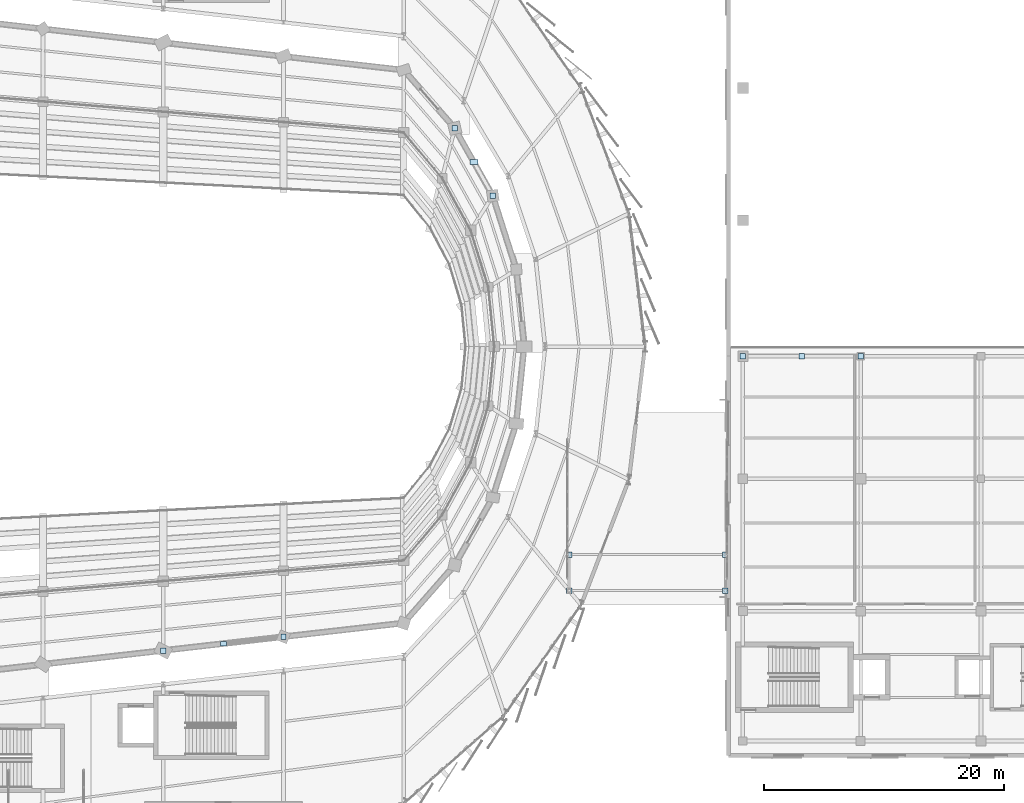
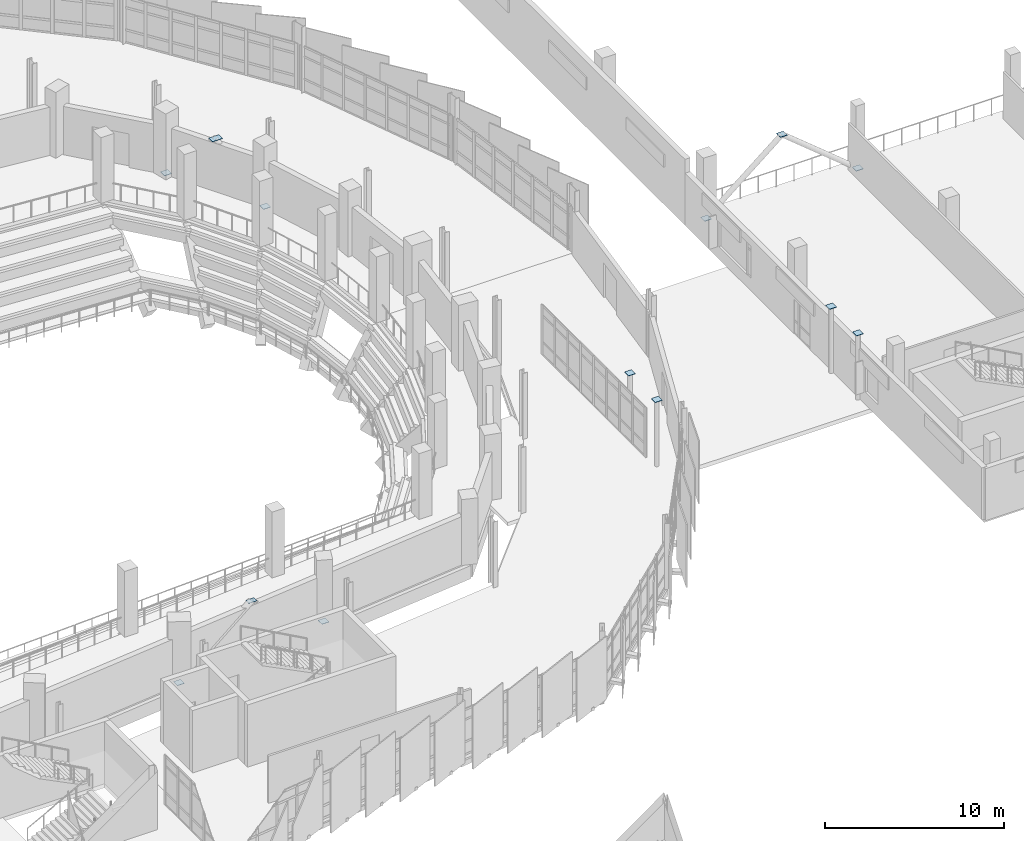
# One storey, part 105 of 134: 13 plates.
"""IFC4 building model written with IfcOpenShell, lengths in metres."""

from ifc_helpers import new_model, si_unit, direction, frame, origin, origin_2d, place, context, subcontext, project, spatial, rectangle, extrude, material, layer, layer_set, type_object, element, save


model = new_model("IFC4")

# Units and contexts
model_context = context("Model", 3, precision=1e-05, world=origin(), true_north=direction((0.0, 1.0)))
body_context = subcontext(model_context, "Body", "Model", "MODEL_VIEW")
ifc_project = project(units=[si_unit("LENGTHUNIT", "METRE"), si_unit("AREAUNIT", "SQUARE_METRE"), si_unit("VOLUMEUNIT", "CUBIC_METRE"), si_unit("PLANEANGLEUNIT", "RADIAN"), si_unit("MASSUNIT", "GRAM", prefix="KILO")], contexts=[model_context])

# Site, building, storey
site_placement = place(None, origin())
site = spatial("IfcSite", under=ifc_project, at=site_placement, CompositionType="ELEMENT")
building_placement = place(site_placement, origin())
building = spatial("IfcBuilding", under=site, at=building_placement, Name="Sohan Crest Arena", CompositionType="ELEMENT")
storey_placement = place(building_placement, frame((0.0, 0.0, 4.5)))
storey = spatial("IfcBuildingStorey", under=building, at=storey_placement, Name="L01", CompositionType="ELEMENT", Elevation=4.5)

# Plates
ifc_material = material(Name="Steel S355", Category="steel")
ifc_layer_1 = layer(ifc_material, 0.031982421875, Name="Steel S355")
ifc_layer_set_1 = layer_set([ifc_layer_1], Name="Steel S355")
plate_type_1 = type_object("IfcPlateType", Name="STR-PL-BP01", PredefinedType="USERDEFINED", material=ifc_layer_set_1)
for number, where, z_axis, x_axis, name in (
    (1, (181.75, 57.699951171875, 4.487548828125), (0.0, 0.0, 1.0), (1.0, 0.0, 0.0), "Hollow section end cap plate ECP-0059"),
    (2, (181.75, 60.699951171875, 4.487548828125), (0.0, 0.0, 1.0), (1.0, 0.0, 0.0), "Hollow section end cap plate ECP-0063"),
    (3, (194.75, 57.699951171875, 4.487548828125), (0.0, 0.0, 1.0), (1.0, 0.0, 0.0), "Hollow section end cap plate ECP-0067"),
    (4, (194.75, 60.699951171875, 4.487548828125), (0.0, 0.0, 1.0), (1.0, 0.0, 0.0), "Hollow section end cap plate ECP-0071"),
    (5, (148.0, 52.714111328125, -0.012451171875), (0.0, 0.0, 1.0), (1.0, 0.0, 0.0), "Hollow section end cap plate ECP-0517"),
    (6, (158.0, 53.85693359375, -0.012451171875), (0.0, 0.0, 1.0), (1.0, 0.0, 0.0), "Hollow section end cap plate ECP-0518"),
    (7, (175.408935546875, 90.544921875, -0.012451171875), (0.0, 0.0, 1.0), (1.0, 0.0, 0.0), "Hollow section end cap plate ECP-0525"),
    (8, (172.242919921875, 96.154052734375, -0.012451171875), (0.0, 0.0, 1.0), (1.0, 0.0, 0.0), "Hollow section end cap plate ECP-0526"),
    (9, (196.199951171875, 77.199951171875, -0.012451171875), (0.0, 0.0, 1.0), (1.0, 0.0, 0.0), "Hollow section end cap plate ECP-0537"),
    (10, (201.10009765625, 77.199951171875, 4.007568359375), (0.0, 0.0, 1.0), (1.0, 0.0, 0.0), "Hollow section end cap plate ECP-0538"),
    (11, (206.0, 77.199951171875, -0.012451171875), (0.0, 0.0, 1.0), (1.0, 0.0, 0.0), "Hollow section end cap plate ECP-0539"),
):
    element("IfcPlate", number, at=place(storey_placement, frame(where, z_axis=z_axis, x_axis=x_axis)), inside=storey, type_object=plate_type_1, Name=name, ObjectType="BASE PLATE", PredefinedType="USERDEFINED", context=body_context, shape_type="SweptSolid", body=[
        extrude(rectangle(XDim=0.449951171875, YDim=0.449951171875, at=origin_2d()), origin(), (0.0, 0.0, 1.0), 0.02490234375),
    ])
ifc_layer_2 = layer(ifc_material, 0.02001953125, Name="Steel S355")
ifc_layer_set_2 = layer_set([ifc_layer_2], Name="Steel S355")
plate_type_2 = type_object("IfcPlateType", Name="STR-PL-SP01", PredefinedType="SHEET", material=ifc_layer_set_2)
plate_1_placement = place(storey_placement, frame((153.0, 53.284912109375, 3.489990234375), z_axis=(0.0, 0.0, 1.0), x_axis=(1.0, 0.0, 0.0)))
element("IfcPlate", 12, at=plate_1_placement, inside=storey, type_object=plate_type_2, Name="Brace connection sheet plate SP-BR020", PredefinedType="SHEET", context=body_context, shape_type="SweptSolid", body=[
    extrude(rectangle(XDim=0.52001953125, YDim=0.340087890625, at=origin_2d()), origin(), (0.0, 0.0, 1.0), 0.02001953125),
])
ifc_layer_3 = layer(ifc_material, 0.02392578125, Name="Steel S355")
ifc_layer_set_3 = layer_set([ifc_layer_3], Name="Steel S355")
plate_type_3 = type_object("IfcPlateType", Name="STR-PL-SP04", PredefinedType="SHEET", material=ifc_layer_set_3)
plate_2_placement = place(storey_placement, frame((173.825927734375, 93.35009765625, 3.488037109375), z_axis=(0.0, 0.0, 1.0), x_axis=(1.0, 0.0, 0.0)))
element("IfcPlate", 13, at=plate_2_placement, inside=storey, type_object=plate_type_3, Name="Brace connection sheet plate SP-BR028", PredefinedType="SHEET", context=body_context, shape_type="SweptSolid", body=[
    extrude(rectangle(XDim=0.659912109375, YDim=0.419921875, at=origin_2d()), origin(), (0.0, 0.0, 1.0), 0.02392578125),
])

save(model, "model.ifc")
